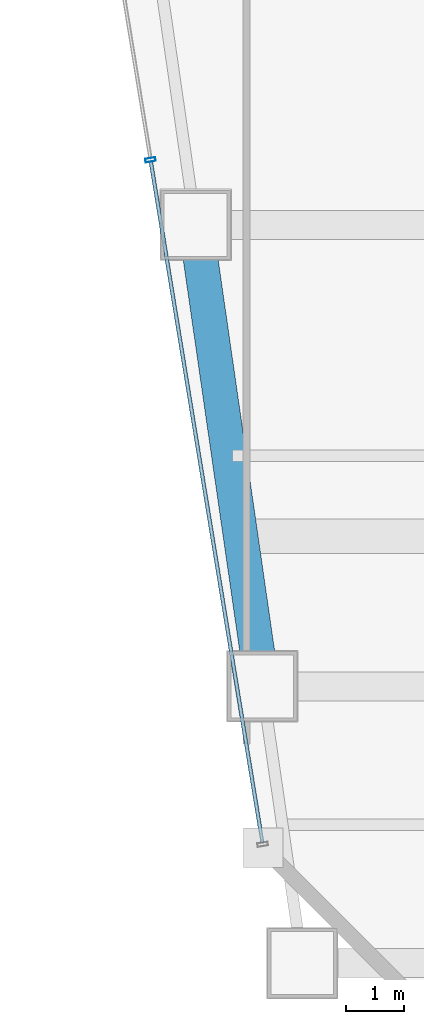
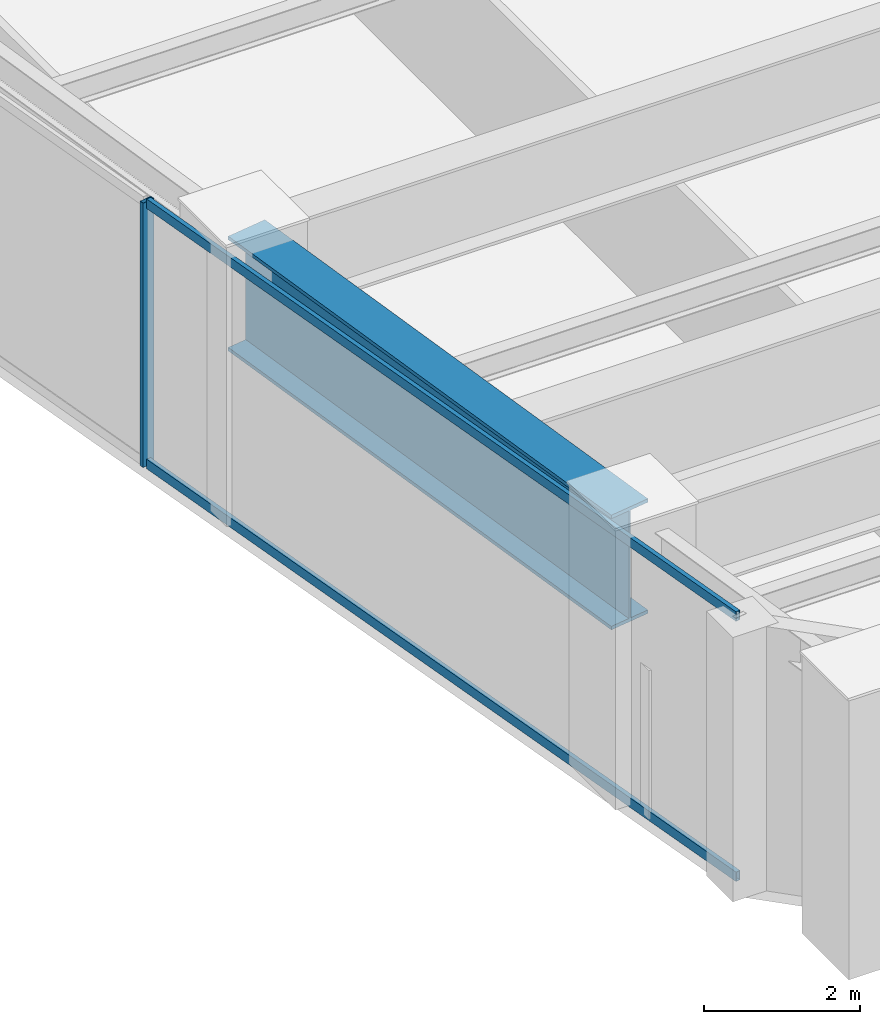
# One storey, part 5 of 40: 3 members, 1 beam, 1 element without a shape of its own.
"""IFC4 building model written with IfcOpenShell, lengths in metres."""

from ifc_helpers import new_model, si_unit, direction, frame, origin, origin_2d, place, context, subcontext, project, spatial, hollow_rectangle, i_section, extrude, material, material_profile, profile_set, type_object, element, aggregate, save


model = new_model("IFC4")

# Units and contexts
model_context = context("Model", 3, precision=1e-05, world=origin(), true_north=direction((0.0, 1.0)))
body_context = subcontext(model_context, "Body", "Model", "MODEL_VIEW")
ifc_project = project(units=[si_unit("LENGTHUNIT", "METRE"), si_unit("AREAUNIT", "SQUARE_METRE"), si_unit("VOLUMEUNIT", "CUBIC_METRE"), si_unit("PLANEANGLEUNIT", "RADIAN"), si_unit("MASSUNIT", "GRAM", prefix="KILO")], contexts=[model_context])

# Site, building, storey
site_placement = place(None, origin())
site = spatial("IfcSite", under=ifc_project, at=site_placement, CompositionType="ELEMENT")
building_placement = place(site_placement, origin())
building = spatial("IfcBuilding", under=site, at=building_placement, Name="Saevonmaru Cultural Tower", CompositionType="ELEMENT")
storey_placement = place(building_placement, frame((0.0, 0.0, 97.199951171875)))
storey = spatial("IfcBuildingStorey", under=building, at=storey_placement, Name="L20", CompositionType="ELEMENT", Elevation=97.199951171875)

# Beam
ifc_material_1 = material(Name="Steel HSA600 (600 MPa)", Category="steel")
ifc_material_profile_1 = material_profile(ifc_material_1, i_section(OverallWidth=0.60009765625, OverallDepth=1.800048828125, WebThickness=0.028076171875, FlangeThickness=0.054931640625, at=origin_2d()), Name="PG-1800x600x28x55")
ifc_profile_set_1 = profile_set([ifc_material_profile_1], Name="Steel HSA600 (600 MPa)")
beam_type = type_object("IfcBeamType", Name="BM-TG-PG1800-EXT", PredefinedType="SPANDREL", material=ifc_profile_set_1)
beam_placement = place(storey_placement, frame((11.7744140625, 8.059326171875, 3.25), z_axis=(-0.142871999001, 0.989741174197, 0.0), x_axis=(-0.989741174197, -0.142871999001, 0.0)))
element("IfcBeam", 1, at=beam_placement, inside=storey, type_object=beam_type, Name="L20 West Splayed Spandrel 2", PredefinedType="SPANDREL", context=body_context, shape_type="SweptSolid", body=[
    extrude(i_section(OverallWidth=0.60009765625, OverallDepth=1.800048828125, WebThickness=0.028076171875, FlangeThickness=0.054931640625, at=origin_2d()), origin(), (0.0, 0.0, 1.0), 7.963134765625),
])

# Curtain wall, members
ifc_material_2 = material(Name="Satin Bronze Anodised Aluminium", Category="aluminium")
curtain_wall_type = type_object("IfcCurtainWallType", Name="CW-TYP-A", PredefinedType="NOTDEFINED", material=ifc_material_2)
curtain_wall_placement = place(storey_placement, origin())
curtain_wall = element("IfcCurtainWall", 2, at=curtain_wall_placement, inside=storey, type_object=curtain_wall_type, Name="L20 Unitised Curtain Wall E12", PredefinedType="NOTDEFINED")
ifc_material_profile_2 = material_profile(ifc_material_2, hollow_rectangle(XDim=0.06494140625, YDim=0.179931640625, WallThickness=0.00390625, at=origin_2d()), Name="ALU-MULL-180x65x4")
ifc_profile_set_2 = profile_set([ifc_material_profile_2], Name="Satin Bronze Anodised Aluminium")
member_type_1 = type_object("IfcMemberType", Name="ML-CW-180x65", PredefinedType="MULLION", material=ifc_profile_set_2)
member_1_placement = place(storey_placement, frame((9.84521484375, 17.129638671875, 0.0), z_axis=(0.0, 0.0, 1.0), x_axis=(0.161708868641, -0.986838508472, 0.0)))
member_1 = element("IfcMember", 3, at=member_1_placement, type_object=member_type_1, Name="CW-TW-L20-E12 mullion 4", PredefinedType="MULLION", context=body_context, shape_type="SweptSolid", body=[
    extrude(hollow_rectangle(XDim=0.06494140625, YDim=0.179931640625, WallThickness=0.00390625, at=origin_2d()), origin(), (0.0, 0.0, 1.0), 4.150146484375),
])
ifc_material_profile_3 = material_profile(ifc_material_2, hollow_rectangle(XDim=0.06494140625, YDim=0.14990234375, WallThickness=0.00390625, at=origin_2d()), Name="ALU-TRAN-150x65x4")
ifc_profile_set_3 = profile_set([ifc_material_profile_3], Name="Satin Bronze Anodised Aluminium")
member_type_2 = type_object("IfcMemberType", Name="TR-CW-150x65", PredefinedType="USERDEFINED", material=ifc_profile_set_3)
member_2_placement = place(storey_placement, frame((9.850341796875, 17.097412109375, 0.032470703125), z_axis=(0.161724530373, -0.986835941925, 0.0), x_axis=(0.986835941925, 0.161724530373, 0.0)))
member_2 = element("IfcMember", 4, at=member_2_placement, type_object=member_type_2, Name="CW-TW-L20-E12 transom 4.1", ObjectType="TRANSOM", PredefinedType="USERDEFINED", context=body_context, shape_type="SweptSolid", body=[
    extrude(hollow_rectangle(XDim=0.06494140625, YDim=0.14990234375, WallThickness=0.00390625, at=origin_2d()), origin(), (0.0, 0.0, 1.0), 11.963623046875),
])
member_3_placement = place(storey_placement, frame((9.850341796875, 17.097412109375, 4.117431640625), z_axis=(0.161724530373, -0.986835941925, 0.0), x_axis=(0.986835941925, 0.161724530373, 0.0)))
member_3 = element("IfcMember", 5, at=member_3_placement, type_object=member_type_2, Name="CW-TW-L20-E12 transom 4.2", ObjectType="TRANSOM", PredefinedType="USERDEFINED", context=body_context, shape_type="SweptSolid", body=[
    extrude(hollow_rectangle(XDim=0.06494140625, YDim=0.14990234375, WallThickness=0.00390625, at=origin_2d()), origin(), (0.0, 0.0, 1.0), 11.963623046875),
])
aggregate(curtain_wall, [member_1, member_2, member_3])

save(model, "model.ifc")
